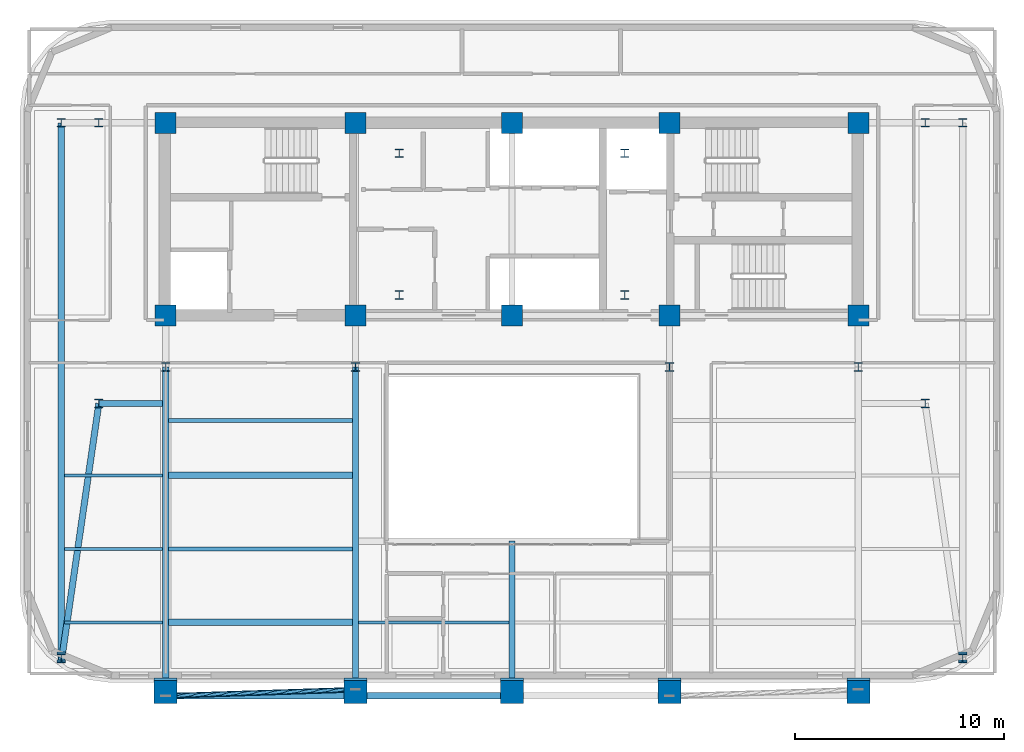
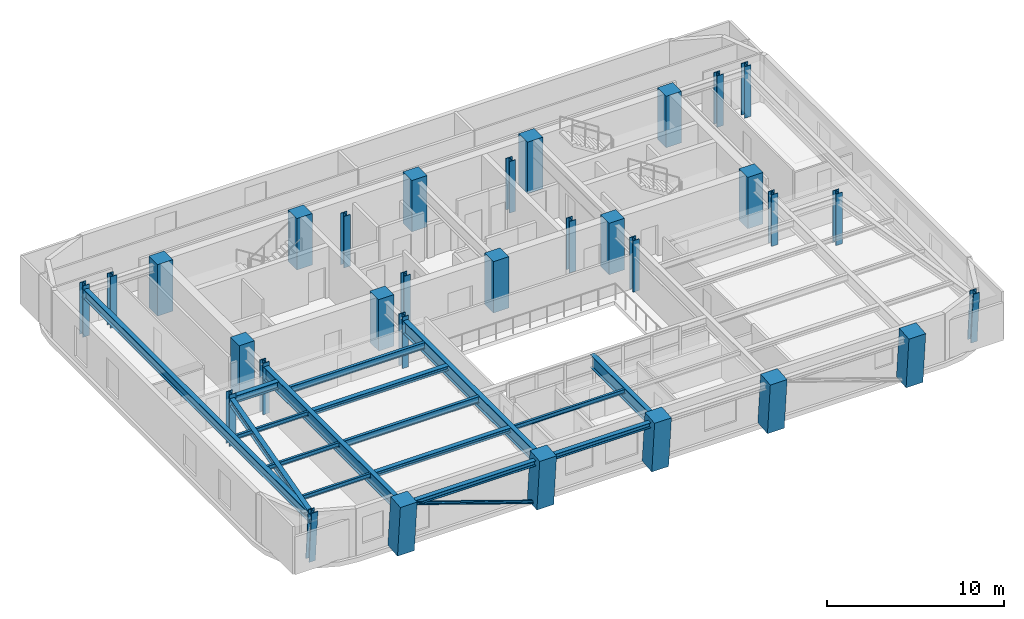
# One storey, part 1 of 13: 31 columns, 16 beams, 1 member.
"""IFC4 building model written with IfcOpenShell, lengths in metres."""

from ifc_helpers import new_model, si_unit, direction, frame, origin, origin_2d, place, context, subcontext, project, spatial, rectangle, hollow_circle, i_section, extrude, material, material_profile, profile_set, type_object, element, save


model = new_model("IFC4")

# Units and contexts
model_context = context("Model", 3, precision=1e-05, world=origin(), true_north=direction((0.0, 1.0)))
body_context = subcontext(model_context, "Body", "Model", "MODEL_VIEW")
ifc_project = project(units=[si_unit("LENGTHUNIT", "METRE"), si_unit("AREAUNIT", "SQUARE_METRE"), si_unit("VOLUMEUNIT", "CUBIC_METRE"), si_unit("PLANEANGLEUNIT", "RADIAN"), si_unit("MASSUNIT", "GRAM", prefix="KILO")], contexts=[model_context])

# Site, building, storey
site_placement = place(None, origin())
site = spatial("IfcSite", under=ifc_project, at=site_placement, CompositionType="ELEMENT")
building_placement = place(site_placement, origin())
building = spatial("IfcBuilding", under=site, at=building_placement, Name="Zarnavel Station Tower", CompositionType="ELEMENT")
storey_placement = place(building_placement, frame((0.0, 0.0, 180.300048828125)))
storey = spatial("IfcBuildingStorey", under=building, at=storey_placement, Name="L49", CompositionType="ELEMENT", Elevation=180.300048828125)

# Columns
ifc_material_1 = material(Name="Steel S355J2", Category="steel")
ifc_material_profile_1 = material_profile(ifc_material_1, i_section(OverallWidth=0.4130859375, OverallDepth=0.4150390625, WebThickness=0.030029296875, FlangeThickness=0.047119140625, FilletRadius=0.014892578125, at=origin_2d()), Name="HD400x347")
ifc_profile_set_1 = profile_set([ifc_material_profile_1], Name="Steel S355J2")
column_type_1 = type_object("IfcColumnType", Name="EC_HD347", PredefinedType="COLUMN", material=ifc_profile_set_1)
column_1_placement = place(storey_placement, frame((7.199951171875, 11.473388671875, 0.0), z_axis=(0.0, -0.079862380324, 0.996805898964), x_axis=(1.0, 0.0, 0.0)))
element("IfcColumn", 1, at=column_1_placement, inside=storey, type_object=column_type_1, Name="L49 Raked Wing Column 1", PredefinedType="COLUMN", context=body_context, shape_type="SweptSolid", body=[
    extrude(i_section(OverallWidth=0.4130859375, OverallDepth=0.4150390625, WebThickness=0.030029296875, FlangeThickness=0.047119140625, FilletRadius=0.014892578125, at=origin_2d()), origin(), (0.0, 0.0, 1.0), 3.5615234375),
])
column_2_placement = place(storey_placement, frame((7.199951171875, 37.050048828125, 0.0), z_axis=(0.0, 0.0, 1.0), x_axis=(1.0, 0.0, 0.0)))
element("IfcColumn", 2, at=column_2_placement, inside=storey, type_object=column_type_1, Name="L49 Outer Wing North Column 1", PredefinedType="COLUMN", context=body_context, shape_type="SweptSolid", body=[
    extrude(i_section(OverallWidth=0.4130859375, OverallDepth=0.4150390625, WebThickness=0.030029296875, FlangeThickness=0.047119140625, FilletRadius=0.014892578125, at=origin_2d()), origin(), (0.0, 0.0, 1.0), 3.550048828125),
])
column_3_placement = place(storey_placement, frame((50.39990234375, 11.473388671875, 0.0), z_axis=(0.0, -0.079862380324, 0.996805898964), x_axis=(1.0, 0.0, 0.0)))
element("IfcColumn", 3, at=column_3_placement, inside=storey, type_object=column_type_1, Name="L49 Raked Wing Column 2", PredefinedType="COLUMN", context=body_context, shape_type="SweptSolid", body=[
    extrude(i_section(OverallWidth=0.4130859375, OverallDepth=0.4150390625, WebThickness=0.030029296875, FlangeThickness=0.047119140625, FilletRadius=0.014892578125, at=origin_2d()), origin(), (0.0, 0.0, 1.0), 3.5615234375),
])
column_4_placement = place(storey_placement, frame((50.39990234375, 37.050048828125, 0.0), z_axis=(0.0, 0.0, 1.0), x_axis=(1.0, 0.0, 0.0)))
element("IfcColumn", 4, at=column_4_placement, inside=storey, type_object=column_type_1, Name="L49 Outer Wing North Column 2", PredefinedType="COLUMN", context=body_context, shape_type="SweptSolid", body=[
    extrude(i_section(OverallWidth=0.4130859375, OverallDepth=0.4150390625, WebThickness=0.030029296875, FlangeThickness=0.047119140625, FilletRadius=0.014892578125, at=origin_2d()), origin(), (0.0, 0.0, 1.0), 3.550048828125),
])
ifc_material_2 = material(Name="Steel S355J2", Category="steel")
ifc_material_profile_2 = material_profile(ifc_material_2, i_section(OverallWidth=0.4130859375, OverallDepth=0.4150390625, WebThickness=0.030029296875, FlangeThickness=0.047119140625, FilletRadius=0.014892578125, at=origin_2d()), Name="HD400x347")
ifc_profile_set_2 = profile_set([ifc_material_profile_2], Name="Steel S355J2")
column_type_2 = type_object("IfcColumnType", Name="IC_HD347", PredefinedType="COLUMN", material=ifc_profile_set_2)
for number, where, z_axis, x_axis, name in (
    (5, (23.39990234375, 28.800048828125, 0.0), (0.0, 0.0, 1.0), (1.0, 0.0, 0.0), "L49 Mast Spine Column 1"),
    (6, (34.199951171875, 28.800048828125, 0.0), (0.0, 0.0, 1.0), (1.0, 0.0, 0.0), "L49 Mast Spine Column 2"),
    (7, (34.199951171875, 35.60009765625, 0.0), (0.0, 0.0, 1.0), (1.0, 0.0, 0.0), "L49 Mast Spine Column 3"),
    (8, (23.39990234375, 35.60009765625, 0.0), (0.0, 0.0, 1.0), (1.0, 0.0, 0.0), "L49 Mast Spine Column 4"),
    (9, (12.199951171875, 25.35009765625, 0.0), (0.0, 0.0, 1.0), (1.0, 0.0, 0.0), "L49 Inner Spine Column 1"),
    (10, (21.300048828125, 25.35009765625, 0.0), (0.0, 0.0, 1.0), (1.0, 0.0, 0.0), "L49 Inner Spine Column 2"),
    (11, (36.35009765625, 25.35009765625, 0.0), (0.0, 0.0, 1.0), (1.0, 0.0, 0.0), "L49 Inner Spine Column 4"),
    (12, (45.39990234375, 25.35009765625, 0.0), (0.0, 0.0, 1.0), (1.0, 0.0, 0.0), "L49 Inner Spine Column 5"),
    (13, (9.0, 23.60009765625, 0.0), (0.0, 0.0, 1.0), (1.0, 0.0, 0.0), "L49 Inner Wing Spine Column 1-1"),
    (14, (9.0, 37.050048828125, 0.0), (0.0, 0.0, 1.0), (1.0, 0.0, 0.0), "L49 Inner Wing Spine Column 1-2"),
    (15, (48.60009765625, 23.60009765625, 0.0), (0.0, 0.0, 1.0), (1.0, 0.0, 0.0), "L49 Inner Wing Spine Column 2-1"),
    (16, (48.60009765625, 37.050048828125, 0.0), (0.0, 0.0, 1.0), (1.0, 0.0, 0.0), "L49 Inner Wing Spine Column 2-2"),
):
    element("IfcColumn", number, at=place(storey_placement, frame(where, z_axis=z_axis, x_axis=x_axis)), inside=storey, type_object=column_type_2, Name=name, PredefinedType="COLUMN", context=body_context, shape_type="SweptSolid", body=[
        extrude(i_section(OverallWidth=0.4130859375, OverallDepth=0.4150390625, WebThickness=0.030029296875, FlangeThickness=0.047119140625, FilletRadius=0.014892578125, at=origin_2d()), origin(), (0.0, 0.0, 1.0), 3.550048828125),
    ])
ifc_material_3 = material(Name="Concrete C50/60", Category="concrete")
ifc_material_profile_3 = material_profile(ifc_material_3, rectangle(XDim=1.0, YDim=1.0, at=origin_2d()), Name="RC1000x1000")
ifc_profile_set_3 = profile_set([ifc_material_profile_3], Name="Concrete C50/60")
column_type_3 = type_object("IfcColumnType", Name="IC_RC1000", PredefinedType="COLUMN", material=ifc_profile_set_3)
for number, where, z_axis, x_axis, name in (
    (17, (12.199951171875, 27.820068359375, 0.0), (0.0, 0.0, 1.0), (1.0, 0.0, 0.0), "L49 Core Spine Column 1-1"),
    (18, (12.199951171875, 37.050048828125, 0.0), (0.0, 0.0, 1.0), (1.0, 0.0, 0.0), "L49 Core Spine Column 1-2"),
    (19, (21.300048828125, 27.820068359375, 0.0), (0.0, 0.0, 1.0), (1.0, 0.0, 0.0), "L49 Core Spine Column 2-1"),
    (20, (21.300048828125, 37.050048828125, 0.0), (0.0, 0.0, 1.0), (1.0, 0.0, 0.0), "L49 Core Spine Column 2-2"),
    (21, (28.800048828125, 27.820068359375, 0.0), (0.0, 0.0, 1.0), (1.0, 0.0, 0.0), "L49 Core Spine Column 3-1"),
    (22, (28.800048828125, 37.050048828125, 0.0), (0.0, 0.0, 1.0), (1.0, 0.0, 0.0), "L49 Core Spine Column 3-2"),
    (23, (36.35009765625, 27.820068359375, 0.0), (0.0, 0.0, 1.0), (1.0, 0.0, 0.0), "L49 Core Spine Column 4-1"),
    (24, (36.35009765625, 37.050048828125, 0.0), (0.0, 0.0, 1.0), (1.0, 0.0, 0.0), "L49 Core Spine Column 4-2"),
    (25, (45.39990234375, 27.820068359375, 0.0), (0.0, 0.0, 1.0), (1.0, 0.0, 0.0), "L49 Core Spine Column 5-1"),
    (26, (45.39990234375, 37.050048828125, 0.0), (0.0, 0.0, 1.0), (1.0, 0.0, 0.0), "L49 Core Spine Column 5-2"),
):
    element("IfcColumn", number, at=place(storey_placement, frame(where, z_axis=z_axis, x_axis=x_axis)), inside=storey, type_object=column_type_3, Name=name, PredefinedType="COLUMN", context=body_context, shape_type="SweptSolid", body=[
        extrude(rectangle(XDim=1.0, YDim=1.0, at=origin_2d()), origin(), (0.0, 0.0, 1.0), 3.550048828125),
    ])
ifc_material_4 = material(Name="Concrete C50/60", Category="concrete")
ifc_material_profile_4 = material_profile(ifc_material_4, rectangle(XDim=1.10009765625, YDim=1.10009765625, at=origin_2d()), Name="RC1100x1100")
ifc_profile_set_4 = profile_set([ifc_material_profile_4], Name="Concrete C50/60")
column_type_4 = type_object("IfcColumnType", Name="MC_RC1100", PredefinedType="COLUMN", material=ifc_profile_set_4)
for number, where, z_axis, x_axis, name in (
    (27, (12.199951171875, 9.88916015625, 0.0), (0.0, -0.0902702026, 0.995917311087), (1.0, 0.0, 0.0), "L49 Raked South Mega-Column 1"),
    (28, (21.300048828125, 9.88916015625, 0.0), (0.0, -0.0902702026, 0.995917311087), (1.0, 0.0, 0.0), "L49 Raked South Mega-Column 2"),
    (29, (28.800048828125, 9.88916015625, 0.0), (0.0, -0.0902702026, 0.995917311087), (1.0, 0.0, 0.0), "L49 Raked South Mega-Column 3"),
    (30, (36.35009765625, 9.88916015625, 0.0), (0.0, -0.0902702026, 0.995917311087), (1.0, 0.0, 0.0), "L49 Raked South Mega-Column 4"),
    (31, (45.39990234375, 9.88916015625, 0.0), (0.0, -0.0902702026, 0.995917311087), (1.0, 0.0, 0.0), "L49 Raked South Mega-Column 5"),
):
    element("IfcColumn", number, at=place(storey_placement, frame(where, z_axis=z_axis, x_axis=x_axis)), inside=storey, type_object=column_type_4, Name=name, PredefinedType="COLUMN", context=body_context, shape_type="SweptSolid", body=[
        extrude(rectangle(XDim=1.10009765625, YDim=1.10009765625, at=origin_2d()), origin(), (0.0, 0.0, 1.0), 3.564697265625),
    ])

# Member
ifc_material_5 = material(Name="Steel S355J2", Category="steel")
ifc_material_profile_5 = material_profile(ifc_material_5, hollow_circle(Radius=0.122314453125, WallThickness=0.010009765625, at=origin_2d()), Name="CHS244.5x10")
ifc_profile_set_5 = profile_set([ifc_material_profile_5], Name="Steel S355J2")
member_type = type_object("IfcMemberType", Name="DB_EXT_CHS245", PredefinedType="BRACE", material=ifc_profile_set_5)
member_placement = place(storey_placement, frame((21.300048828125, 9.88916015625, 0.0), z_axis=(-0.93997940641, -0.030791298364, 0.339839096442), x_axis=(0.032739857023, -0.999463907183, 0.0)))
element("IfcMember", 32, at=member_placement, inside=storey, type_object=member_type, Name="L49 Persian Exterior Diagonal Frame Brace 1", PredefinedType="BRACE", context=body_context, shape_type="SweptSolid", body=[
    extrude(hollow_circle(Radius=0.122314453125, WallThickness=0.010009765625, at=origin_2d()), origin(), (0.0, 0.0, 1.0), 9.68115234375),
])

# Beams
ifc_material_6 = material(Name="Steel S355J2", Category="steel")
ifc_material_profile_6 = material_profile(ifc_material_6, i_section(OverallWidth=0.300048828125, OverallDepth=0.360107421875, WebThickness=0.012451171875, FlangeThickness=0.0224609375, FilletRadius=0.027099609375, at=origin_2d()), Name="HEB360")
ifc_profile_set_6 = profile_set([ifc_material_profile_6], Name="Steel S355J2")
beam_type_1 = type_object("IfcBeamType", Name="EB_HEB360", PredefinedType="SPANDREL", material=ifc_profile_set_6)
beam_1_placement = place(storey_placement, frame((12.199951171875, 9.591064453125, 3.10986328125), z_axis=(1.0, 0.0, 0.0), x_axis=(0.0, 1.0, 0.0)))
element("IfcBeam", 33, at=beam_1_placement, inside=storey, type_object=beam_type_1, Name="L49 South Raked Spandrel 1", PredefinedType="SPANDREL", context=body_context, shape_type="SweptSolid", body=[
    extrude(i_section(OverallWidth=0.300048828125, OverallDepth=0.360107421875, WebThickness=0.012451171875, FlangeThickness=0.0224609375, FilletRadius=0.027099609375, at=origin_2d()), origin(), (0.0, 0.0, 1.0), 9.10009765625),
])
beam_2_placement = place(storey_placement, frame((21.300048828125, 9.591064453125, 3.10986328125), z_axis=(1.0, 0.0, 0.0), x_axis=(0.0, 1.0, 0.0)))
element("IfcBeam", 34, at=beam_2_placement, inside=storey, type_object=beam_type_1, Name="L49 South Raked Spandrel 2", PredefinedType="SPANDREL", context=body_context, shape_type="SweptSolid", body=[
    extrude(i_section(OverallWidth=0.300048828125, OverallDepth=0.360107421875, WebThickness=0.012451171875, FlangeThickness=0.0224609375, FilletRadius=0.027099609375, at=origin_2d()), origin(), (0.0, 0.0, 1.0), 7.5),
])
ifc_material_7 = material(Name="Steel S355J2", Category="steel")
ifc_material_profile_7 = material_profile(ifc_material_7, i_section(OverallWidth=0.300048828125, OverallDepth=0.31005859375, WebThickness=0.009033203125, FlangeThickness=0.015380859375, FilletRadius=0.027099609375, at=origin_2d()), Name="HEA320")
ifc_profile_set_7 = profile_set([ifc_material_profile_7], Name="Steel S355J2")
beam_type_2 = type_object("IfcBeamType", Name="FB_HEA320", PredefinedType="BEAM", material=ifc_profile_set_7)
for number, where, z_axis, x_axis, name in (
    (35, (12.344970703125, 13.11279296875, 3.135009765625), (1.0, 0.0, 0.0), (0.0, 1.0, 0.0), "L49 West Bay Beam 1"),
    (36, (12.344970703125, 20.156494140625, 3.135009765625), (1.0, 0.0, 0.0), (0.0, 1.0, 0.0), "L49 West Bay Beam 3"),
):
    element("IfcBeam", number, at=place(storey_placement, frame(where, z_axis=z_axis, x_axis=x_axis)), inside=storey, type_object=beam_type_2, Name=name, PredefinedType="BEAM", context=body_context, shape_type="SweptSolid", body=[
        extrude(i_section(OverallWidth=0.300048828125, OverallDepth=0.31005859375, WebThickness=0.009033203125, FlangeThickness=0.015380859375, FilletRadius=0.027099609375, at=origin_2d()), origin(), (0.0, 0.0, 1.0), 8.81005859375),
    ])
ifc_material_8 = material(Name="Steel S355J2", Category="steel")
ifc_material_profile_8 = material_profile(ifc_material_8, i_section(OverallWidth=0.18994140625, OverallDepth=0.449951171875, WebThickness=0.009521484375, FlangeThickness=0.0146484375, FilletRadius=0.02099609375, at=origin_2d()), Name="IPE450")
ifc_profile_set_8 = profile_set([ifc_material_profile_8], Name="Steel S355J2")
beam_type_3 = type_object("IfcBeamType", Name="FB_IPE450", PredefinedType="BEAM", material=ifc_profile_set_8)
for number, where, z_axis, x_axis, name in (
    (37, (12.344970703125, 16.634521484375, 3.06494140625), (1.0, 0.0, 0.0), (0.0, 1.0, 0.0), "L49 West Bay Beam 2"),
    (38, (12.344970703125, 22.7783203125, 3.06494140625), (1.0, 0.0, 0.0), (0.0, 1.0, 0.0), "L49 West Bay Beam 4"),
):
    element("IfcBeam", number, at=place(storey_placement, frame(where, z_axis=z_axis, x_axis=x_axis)), inside=storey, type_object=beam_type_3, Name=name, PredefinedType="BEAM", context=body_context, shape_type="SweptSolid", body=[
        extrude(i_section(OverallWidth=0.18994140625, OverallDepth=0.449951171875, WebThickness=0.009521484375, FlangeThickness=0.0146484375, FilletRadius=0.02099609375, at=origin_2d()), origin(), (0.0, 0.0, 1.0), 8.81005859375),
    ])
ifc_material_9 = material(Name="Steel S355J2", Category="steel")
ifc_material_profile_9 = material_profile(ifc_material_9, i_section(OverallWidth=0.300048828125, OverallDepth=0.5, WebThickness=0.014404296875, FlangeThickness=0.028076171875, FilletRadius=0.027099609375, at=origin_2d()), Name="HEB500")
ifc_profile_set_9 = profile_set([ifc_material_profile_9], Name="Steel S355J2")
beam_type_4 = type_object("IfcBeamType", Name="FG_HEB500", PredefinedType="USERDEFINED", material=ifc_profile_set_9)
beam_3_placement = place(storey_placement, frame((7.199951171875, 11.209716796875, 3.0400390625), z_axis=(0.143768679827, 0.989611321025, 0.0), x_axis=(-0.989611321025, 0.143768679827, 0.0)))
element("IfcBeam", 39, at=beam_3_placement, inside=storey, type_object=beam_type_4, Name="L49 West Wing South Tie 1", ObjectType="GIRDER", PredefinedType="USERDEFINED", context=body_context, shape_type="SweptSolid", body=[
    extrude(i_section(OverallWidth=0.300048828125, OverallDepth=0.5, WebThickness=0.014404296875, FlangeThickness=0.028076171875, FilletRadius=0.027099609375, at=origin_2d()), origin(), (0.0, 0.0, 1.0), 12.5205078125),
])
beam_4_placement = place(storey_placement, frame((9.0, 23.60009765625, 3.0400390625), z_axis=(1.0, 0.0, 0.0), x_axis=(0.0, 1.0, 0.0)))
element("IfcBeam", 40, at=beam_4_placement, inside=storey, type_object=beam_type_4, Name="L49 West Wing South Tie 2", ObjectType="GIRDER", PredefinedType="USERDEFINED", context=body_context, shape_type="SweptSolid", body=[
    extrude(i_section(OverallWidth=0.300048828125, OverallDepth=0.5, WebThickness=0.014404296875, FlangeThickness=0.028076171875, FilletRadius=0.027099609375, at=origin_2d()), origin(), (0.0, 0.0, 1.0), 3.054931640625),
])
ifc_material_10 = material(Name="Steel S355J2", Category="steel")
ifc_material_profile_10 = material_profile(ifc_material_10, i_section(OverallWidth=0.300048828125, OverallDepth=0.64990234375, WebThickness=0.01611328125, FlangeThickness=0.031005859375, FilletRadius=0.027099609375, at=origin_2d()), Name="HEB650")
ifc_profile_set_10 = profile_set([ifc_material_profile_10], Name="Steel S355J2")
beam_type_5 = type_object("IfcBeamType", Name="FG_HEB650", PredefinedType="USERDEFINED", material=ifc_profile_set_10)
beam_5_placement = place(storey_placement, frame((7.199951171875, 11.209716796875, 2.96484375), z_axis=(0.0, 1.0, 0.0), x_axis=(-1.0, 0.0, 0.0)))
element("IfcBeam", 41, at=beam_5_placement, inside=storey, type_object=beam_type_5, Name="L49 Wing NS Girder 1", ObjectType="GIRDER", PredefinedType="USERDEFINED", context=body_context, shape_type="SweptSolid", body=[
    extrude(i_section(OverallWidth=0.300048828125, OverallDepth=0.64990234375, WebThickness=0.01611328125, FlangeThickness=0.031005859375, FilletRadius=0.027099609375, at=origin_2d()), origin(), (0.0, 0.0, 1.0), 25.84033203125),
])
ifc_material_11 = material(Name="Steel S355J2", Category="steel")
ifc_material_profile_11 = material_profile(ifc_material_11, i_section(OverallWidth=0.300048828125, OverallDepth=0.89990234375, WebThickness=0.0185546875, FlangeThickness=0.034912109375, FilletRadius=0.030029296875, at=origin_2d()), Name="HEB900")
ifc_profile_set_11 = profile_set([ifc_material_profile_11], Name="Steel S355J2")
beam_type_6 = type_object("IfcBeamType", Name="FG_HEB900", PredefinedType="USERDEFINED", material=ifc_profile_set_11)
for number, where, z_axis, x_axis, name in (
    (42, (12.199951171875, 9.591064453125, 2.83984375), (0.0, 1.0, 0.0), (-1.0, 0.0, 0.0), "L49 South-Zone NS Girder 1"),
    (43, (21.300048828125, 9.591064453125, 2.83984375), (0.0, 1.0, 0.0), (-1.0, 0.0, 0.0), "L49 South-Zone NS Girder 2"),
):
    element("IfcBeam", number, at=place(storey_placement, frame(where, z_axis=z_axis, x_axis=x_axis)), inside=storey, type_object=beam_type_6, Name=name, ObjectType="GIRDER", PredefinedType="USERDEFINED", context=body_context, shape_type="SweptSolid", body=[
        extrude(i_section(OverallWidth=0.300048828125, OverallDepth=0.89990234375, WebThickness=0.0185546875, FlangeThickness=0.034912109375, FilletRadius=0.030029296875, at=origin_2d()), origin(), (0.0, 0.0, 1.0), 15.759033203125),
    ])
beam_6_placement = place(storey_placement, frame((28.800048828125, 9.591064453125, 2.83984375), z_axis=(0.0, 1.0, 0.0), x_axis=(-1.0, 0.0, 0.0)))
element("IfcBeam", 44, at=beam_6_placement, inside=storey, type_object=beam_type_6, Name="L49 Central Atrium-South Girder", ObjectType="GIRDER", PredefinedType="USERDEFINED", context=body_context, shape_type="SweptSolid", body=[
    extrude(i_section(OverallWidth=0.300048828125, OverallDepth=0.89990234375, WebThickness=0.0185546875, FlangeThickness=0.034912109375, FilletRadius=0.030029296875, at=origin_2d()), origin(), (0.0, 0.0, 1.0), 7.408935546875),
])
ifc_material_12 = material(Name="Steel S355J2", Category="steel")
ifc_material_profile_12 = material_profile(ifc_material_12, i_section(OverallWidth=0.14990234375, OverallDepth=0.300048828125, WebThickness=0.007080078125, FlangeThickness=0.0107421875, FilletRadius=0.014892578125, at=origin_2d()), Name="IPE300")
ifc_profile_set_12 = profile_set([ifc_material_profile_12], Name="Steel S355J2")
beam_type_7 = type_object("IfcBeamType", Name="FJ_IPE300", PredefinedType="JOIST", material=ifc_profile_set_12)
beam_7_placement = place(storey_placement, frame((21.445068359375, 13.11279296875, 3.139892578125), z_axis=(1.0, 0.0, 0.0), x_axis=(0.0, 1.0, 0.0)))
element("IfcBeam", 45, at=beam_7_placement, inside=storey, type_object=beam_type_7, Name="L49 Mid-West Joist 1", PredefinedType="JOIST", context=body_context, shape_type="SweptSolid", body=[
    extrude(i_section(OverallWidth=0.14990234375, OverallDepth=0.300048828125, WebThickness=0.007080078125, FlangeThickness=0.0107421875, FilletRadius=0.014892578125, at=origin_2d()), origin(), (0.0, 0.0, 1.0), 7.2099609375),
])
for number, where, z_axis, x_axis, name in (
    (46, (7.344970703125, 13.11279296875, 3.139892578125), (1.0, 0.0, 0.0), (0.0, 1.0, 0.0), "L49 West Wing Joist 1"),
    (47, (7.344970703125, 16.634521484375, 3.139892578125), (1.0, 0.0, 0.0), (0.0, 1.0, 0.0), "L49 West Wing Joist 2"),
    (48, (7.344970703125, 20.156494140625, 3.139892578125), (1.0, 0.0, 0.0), (0.0, 1.0, 0.0), "L49 West Wing Joist 3"),
):
    element("IfcBeam", number, at=place(storey_placement, frame(where, z_axis=z_axis, x_axis=x_axis)), inside=storey, type_object=beam_type_7, Name=name, PredefinedType="JOIST", context=body_context, shape_type="SweptSolid", body=[
        extrude(i_section(OverallWidth=0.14990234375, OverallDepth=0.300048828125, WebThickness=0.007080078125, FlangeThickness=0.0107421875, FilletRadius=0.014892578125, at=origin_2d()), origin(), (0.0, 0.0, 1.0), 4.7099609375),
    ])

save(model, "model.ifc")
